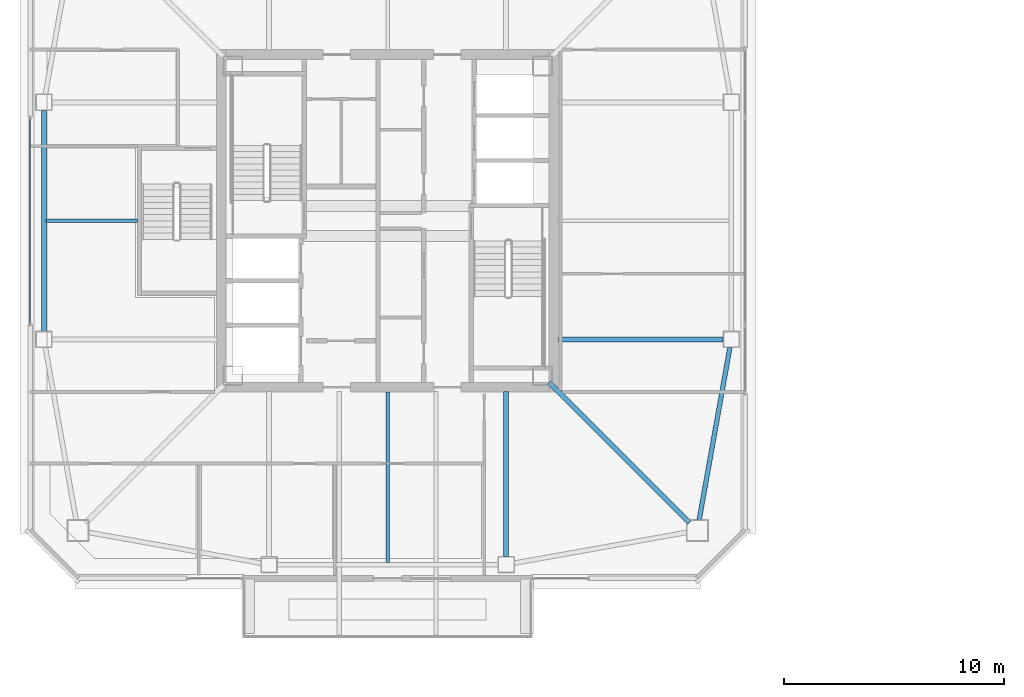
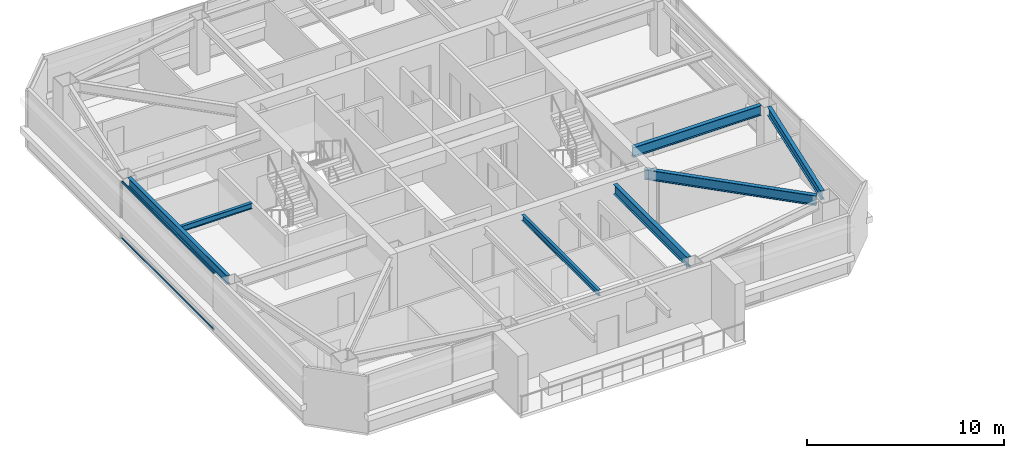
# One storey, part 8 of 39: 7 beams, 2 members, 1 element without a shape of its own.
"""IFC4 building model written with IfcOpenShell, lengths in metres."""

from ifc_helpers import new_model, si_unit, direction, frame, origin, origin_2d, place, context, subcontext, project, spatial, hollow_rectangle, i_section, extrude, material, material_profile, profile_set, type_object, element, aggregate, save


model = new_model("IFC4")

# Units and contexts
model_context = context("Model", 3, precision=1e-05, world=origin(), true_north=direction((0.0, 1.0)))
body_context = subcontext(model_context, "Body", "Model", "MODEL_VIEW")
ifc_project = project(units=[si_unit("LENGTHUNIT", "METRE"), si_unit("AREAUNIT", "SQUARE_METRE"), si_unit("VOLUMEUNIT", "CUBIC_METRE"), si_unit("PLANEANGLEUNIT", "RADIAN"), si_unit("MASSUNIT", "GRAM", prefix="KILO")], contexts=[model_context])

# Site, building, storey
site_placement = place(None, origin())
site = spatial("IfcSite", under=ifc_project, at=site_placement, CompositionType="ELEMENT")
building_placement = place(site_placement, origin())
building = spatial("IfcBuilding", under=site, at=building_placement, Name="Tashvorn Skyway Center", CompositionType="ELEMENT")
storey_placement = place(building_placement, frame((0.0, 0.0, 225.5)))
storey = spatial("IfcBuildingStorey", under=building, at=storey_placement, Name="L61", CompositionType="ELEMENT", Elevation=225.5)

# Beams
ifc_material_1 = material(Name="Steel ASTM A992 Grade 50", Category="steel")
ifc_material_profile_1 = material_profile(ifc_material_1, i_section(OverallWidth=0.22998046875, OverallDepth=0.616943359375, WebThickness=0.01318359375, FlangeThickness=0.022216796875, at=origin_2d()), Name="W24X94")
ifc_profile_set_1 = profile_set([ifc_material_profile_1], Name="Steel ASTM A992 Grade 50")
beam_type_1 = type_object("IfcBeamType", Name="BM-BEAM-W24X94", PredefinedType="BEAM", material=ifc_profile_set_1)
beam_1_placement = place(storey_placement, frame((55.75, 18.25, 3.0615234375), z_axis=(-0.707106781187, 0.707106781187, 0.0), x_axis=(-0.707106781187, -0.707106781187, 0.0)))
element("IfcBeam", 1, at=beam_1_placement, inside=storey, type_object=beam_type_1, Name="Tower 1 L61 Primary Floor Girder MC-SE", PredefinedType="BEAM", context=body_context, shape_type="SweptSolid", body=[
    extrude(i_section(OverallWidth=0.22998046875, OverallDepth=0.616943359375, WebThickness=0.01318359375, FlangeThickness=0.022216796875, at=origin_2d()), origin(), (0.0, 0.0, 1.0), 9.030029296875),
])
for number, where, z_axis, x_axis, name in (
    (2, (47.39990234375, 16.719970703125, 3.0615234375), (0.0, 1.0, 0.0), (-1.0, 0.0, 0.0), "Tower 1 L61 Primary Floor Girder FC-S2"),
    (3, (57.280029296875, 26.60009765625, 3.0615234375), (-1.0, 0.0, 0.0), (0.0, -1.0, 0.0), "Tower 1 L61 Primary Floor Girder FC-E1"),
):
    element("IfcBeam", number, at=place(storey_placement, frame(where, z_axis=z_axis, x_axis=x_axis)), inside=storey, type_object=beam_type_1, Name=name, PredefinedType="BEAM", context=body_context, shape_type="SweptSolid", body=[
        extrude(i_section(OverallWidth=0.22998046875, OverallDepth=0.616943359375, WebThickness=0.01318359375, FlangeThickness=0.022216796875, at=origin_2d()), origin(), (0.0, 0.0, 1.0), 7.5),
    ])
ifc_material_profile_2 = material_profile(ifc_material_1, i_section(OverallWidth=0.1708984375, OverallDepth=0.35498046875, WebThickness=0.007080078125, FlangeThickness=0.01171875, at=origin_2d()), Name="W14X34")
ifc_profile_set_2 = profile_set([ifc_material_profile_2], Name="Steel ASTM A992 Grade 50")
beam_type_2 = type_object("IfcBeamType", Name="BM-JOIST-W14X34", PredefinedType="JOIST", material=ifc_profile_set_2)
beam_2_placement = place(storey_placement, frame((42.0, 24.2099609375, 3.1923828125), z_axis=(0.0, -1.0, 0.0), x_axis=(1.0, 0.0, 0.0)))
element("IfcBeam", 4, at=beam_2_placement, inside=storey, type_object=beam_type_2, Name="Tower 1 L61 Secondary Composite Joist JS", PredefinedType="JOIST", context=body_context, shape_type="SweptSolid", body=[
    extrude(i_section(OverallWidth=0.1708984375, OverallDepth=0.35498046875, WebThickness=0.007080078125, FlangeThickness=0.01171875, at=origin_2d()), origin(), (0.0, 0.0, 1.0), 7.762451171875),
])
beam_3_placement = place(storey_placement, frame((30.610107421875, 32.0, 3.1923828125), z_axis=(-1.0, 0.0, 0.0), x_axis=(0.0, -1.0, 0.0)))
element("IfcBeam", 5, at=beam_3_placement, inside=storey, type_object=beam_type_2, Name="Tower 1 L61 Secondary Composite Joist JW", PredefinedType="JOIST", context=body_context, shape_type="SweptSolid", body=[
    extrude(i_section(OverallWidth=0.1708984375, OverallDepth=0.35498046875, WebThickness=0.007080078125, FlangeThickness=0.01171875, at=origin_2d()), origin(), (0.0, 0.0, 1.0), 4.16259765625),
])
ifc_material_profile_3 = material_profile(ifc_material_1, i_section(OverallWidth=0.2109375, OverallDepth=0.5390625, WebThickness=0.01171875, FlangeThickness=0.018798828125, at=origin_2d()), Name="W21X73")
ifc_profile_set_3 = profile_set([ifc_material_profile_3], Name="Steel ASTM A992 Grade 50")
beam_type_3 = type_object("IfcBeamType", Name="BM-SPANDREL-W21X73", PredefinedType="SPANDREL", material=ifc_profile_set_3)
beam_4_placement = place(storey_placement, frame((56.186767578125, 18.38720703125, 3.1005859375), z_axis=(0.17541329759, 0.984494883191, 0.0), x_axis=(-0.984494883191, 0.17541329759, 0.0)))
element("IfcBeam", 6, at=beam_4_placement, inside=storey, type_object=beam_type_3, Name="Tower 1 L61 Spandrel Beam 04", PredefinedType="SPANDREL", context=body_context, shape_type="SweptSolid", body=[
    extrude(i_section(OverallWidth=0.2109375, OverallDepth=0.5390625, WebThickness=0.01171875, FlangeThickness=0.018798828125, at=origin_2d()), origin(), (0.0, 0.0, 1.0), 7.97216796875),
])
beam_5_placement = place(storey_placement, frame((26.35009765625, 37.030029296875, 3.1005859375), z_axis=(0.0, -1.0, 0.0), x_axis=(1.0, 0.0, 0.0)))
element("IfcBeam", 7, at=beam_5_placement, inside=storey, type_object=beam_type_3, Name="Tower 1 L61 Spandrel Beam 11", PredefinedType="SPANDREL", context=body_context, shape_type="SweptSolid", body=[
    extrude(i_section(OverallWidth=0.2109375, OverallDepth=0.5390625, WebThickness=0.01171875, FlangeThickness=0.018798828125, at=origin_2d()), origin(), (0.0, 0.0, 1.0), 10.06005859375),
])

# Curtain wall, members
ifc_material_2 = material(Name="Thermally broken bronze-anodized aluminium 6063-T6", Category="aluminium")
curtain_wall_type = type_object("IfcCurtainWallType", Name="CW-CW-Z5", PredefinedType="NOTDEFINED", material=ifc_material_2)
curtain_wall_placement = place(storey_placement, origin())
curtain_wall = element("IfcCurtainWall", 8, at=curtain_wall_placement, inside=storey, type_object=curtain_wall_type, Name="Tower 1 L61 West Unitised Curtain Wall Glazing Group 1", PredefinedType="NOTDEFINED")
ifc_material_profile_4 = material_profile(ifc_material_2, hollow_rectangle(XDim=0.070068359375, YDim=0.114990234375, WallThickness=0.00390625, at=origin_2d()), Name="ALU-TRAN-70x115")
ifc_profile_set_4 = profile_set([ifc_material_profile_4], Name="Thermally broken bronze-anodized aluminium 6063-T6")
member_type = type_object("IfcMemberType", Name="CWT-CW-Z5", PredefinedType="USERDEFINED", material=ifc_profile_set_4)
member_1_placement = place(storey_placement, frame((25.719970703125, 27.34326171875, 0.034912109375), z_axis=(0.0, 1.0, 0.0), x_axis=(-1.0, 0.0, 0.0)))
member_1 = element("IfcMember", 9, at=member_1_placement, type_object=member_type, Name="CW-Z5 transom 1.1", ObjectType="TRANSOM", PredefinedType="USERDEFINED", context=body_context, shape_type="SweptSolid", body=[
    extrude(hollow_rectangle(XDim=0.070068359375, YDim=0.114990234375, WallThickness=0.00390625, at=origin_2d()), origin(), (0.0, 0.0, 1.0), 9.3134765625),
])
member_2_placement = place(storey_placement, frame((25.719970703125, 27.34326171875, 3.514892578125), z_axis=(0.0, 1.0, 0.0), x_axis=(-1.0, 0.0, 0.0)))
member_2 = element("IfcMember", 10, at=member_2_placement, type_object=member_type, Name="CW-Z5 transom 1.2", ObjectType="TRANSOM", PredefinedType="USERDEFINED", context=body_context, shape_type="SweptSolid", body=[
    extrude(hollow_rectangle(XDim=0.070068359375, YDim=0.114990234375, WallThickness=0.00390625, at=origin_2d()), origin(), (0.0, 0.0, 1.0), 9.3134765625),
])
aggregate(curtain_wall, [member_1, member_2])

save(model, "model.ifc")
